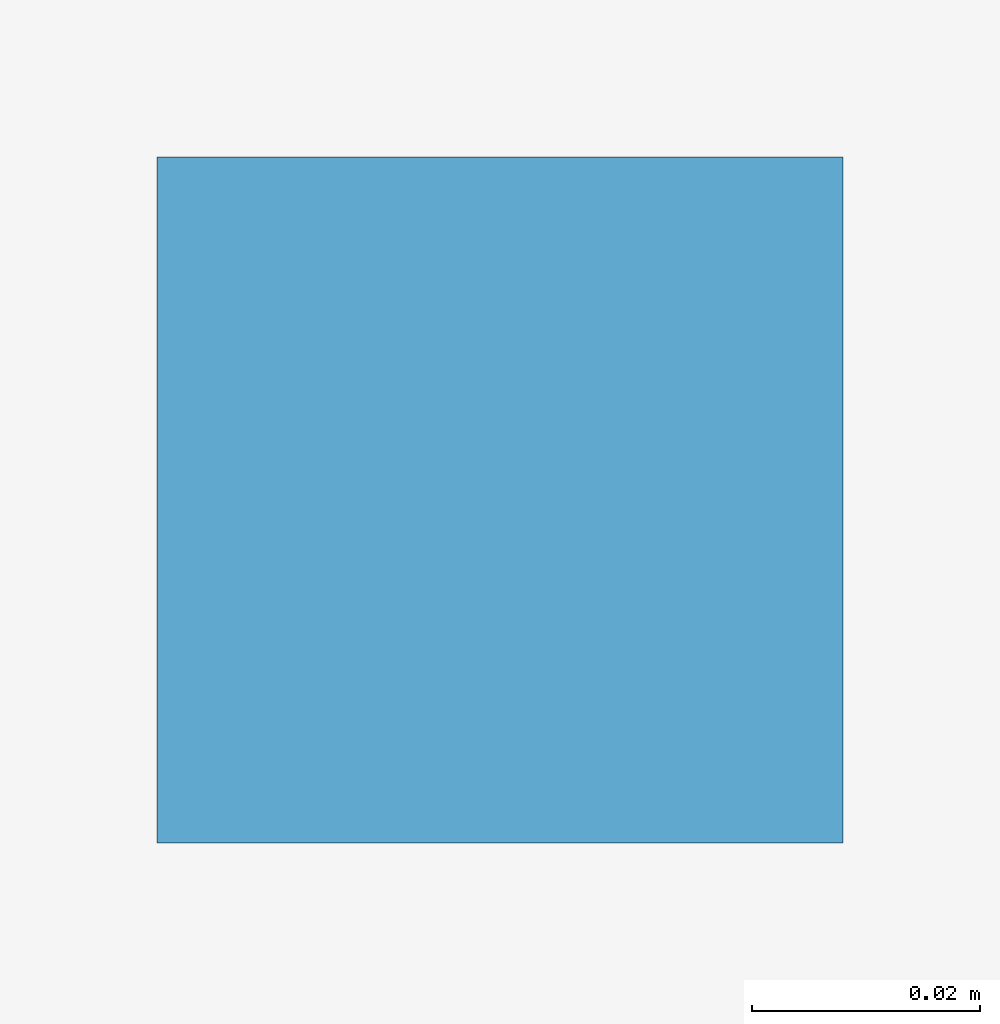
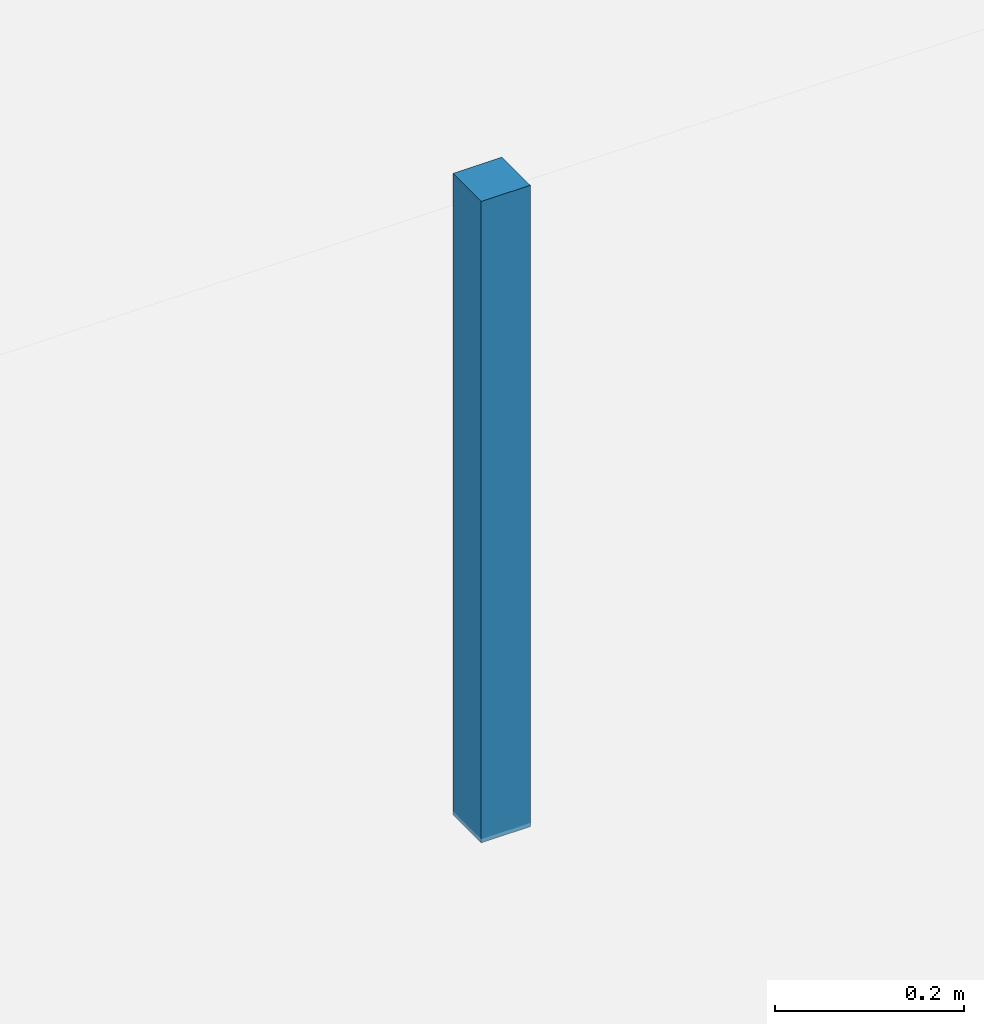
# One storey, part 94 of 107: 1 discrete accessory.
"""IFC4 building model written with IfcOpenShell, lengths in metres."""

from ifc_helpers import new_model, si_unit, derived_unit, direction, frame, origin, origin_2d, place, context, subcontext, project, spatial, rectangle, extrude, material, layer, layer_set, type_object, element, save


model = new_model("IFC4")

# Units and contexts
model_context = context("Model", 3, precision=1e-05, world=origin(), true_north=direction((0.0, 1.0)))
body_context = subcontext(model_context, "Body", "Model", "MODEL_VIEW")
ifc_project = project(units=[si_unit("LENGTHUNIT", "METRE"), si_unit("AREAUNIT", "SQUARE_METRE"), si_unit("VOLUMEUNIT", "CUBIC_METRE"), si_unit("PLANEANGLEUNIT", "RADIAN"), si_unit("MASSUNIT", "GRAM", prefix="KILO"), derived_unit("THERMALTRANSMITTANCEUNIT", [(si_unit("MASSUNIT", "GRAM", prefix="KILO"), 1), (si_unit("TIMEUNIT", "SECOND"), -3), (si_unit("THERMODYNAMICTEMPERATUREUNIT", "KELVIN"), -1)])], contexts=[model_context])

# Site, building, storey
site_placement = place(None, origin())
site = spatial("IfcSite", under=ifc_project, at=site_placement, CompositionType="ELEMENT")
building_placement = place(site_placement, origin())
building = spatial("IfcBuilding", under=site, at=building_placement, Name="Makaiwela Harbour Ferry Terminal", CompositionType="ELEMENT")
storey_placement = place(building_placement, frame((0.0, 0.0, 9.60009765625)))
storey = spatial("IfcBuildingStorey", under=building, at=storey_placement, Name="L02", CompositionType="ELEMENT", Elevation=9.60009765625)

# Discrete accessory
ifc_material = material(Name="Marine grade 316L brushed stainless steel", Category="steel")
ifc_layer = layer(ifc_material, 1.0)
ifc_layer_set = layer_set([ifc_layer], Name="Marine grade 316L brushed stainless steel")
discrete_accessory_type = type_object("IfcDiscreteAccessoryType", Name="INT-ACC-HNG", PredefinedType="BRACKET", material=ifc_layer_set)
discrete_accessory_placement = place(storey_placement, frame((48.498046875, 59.385498046875, 3.134765625), z_axis=(0.0, 0.0, 1.0), x_axis=(1.0, 0.0, 0.0)))
element("IfcDiscreteAccessory", 1, at=discrete_accessory_placement, inside=storey, type_object=discrete_accessory_type, Name="Ceiling Suspension Bracket HNG-048", PredefinedType="BRACKET", context=body_context, shape_type="SweptSolid", body=[
    extrude(rectangle(XDim=0.06005859375, YDim=0.06005859375, at=origin_2d()), origin(), (0.0, 0.0, 1.0), 0.830078125),
])

save(model, "model.ifc")
